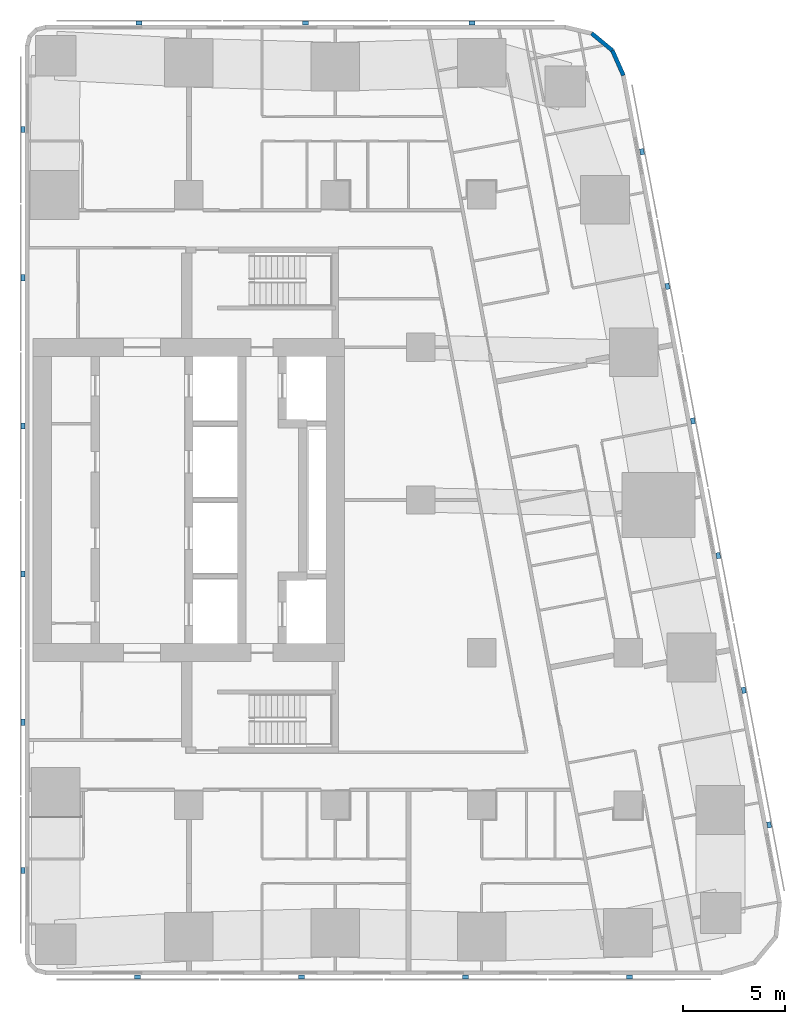
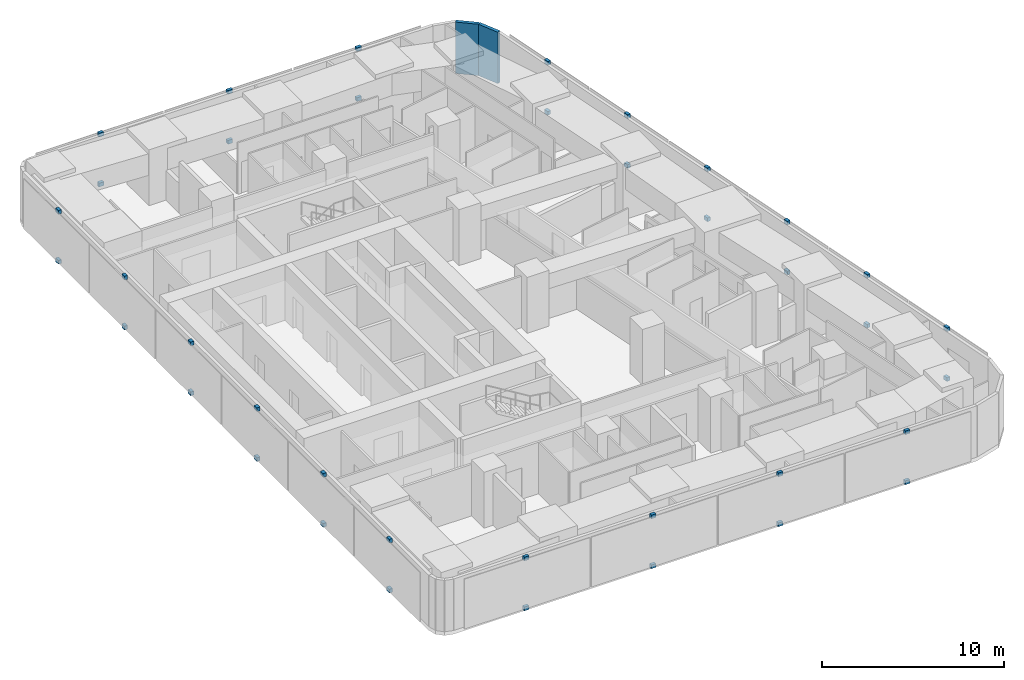
# One storey, part 8 of 10: 38 discrete accessories, 2 walls.
"""IFC4 building model written with IfcOpenShell, lengths in metres."""

import ifcopenshell
import ifcopenshell.guid

model = None  # the IFC model being written
_history = None  # IfcOwnerHistory: only IFC2X3 demands one
_inside = {}  # id of a spatial element -> (the spatial element, [elements in it])
_under = {}  # id of a project, library or spatial element -> (it, [spatial elements below it])
_declared = {}  # id of a project -> (the project, [libraries it declares])
_typed = {}  # id of a type object -> (the type object, [elements of that type])
_made_of = {}  # id of a material, layer set ... -> (it, [elements and type objects made of it])


def new_model(schema):
    """Start an empty IFC model of exactly this schema.

    Asked for "IFC4X3", IfcOpenShell would pick the latest addendum, in which some entities
    have other attributes; the version numbers below select the first issue.
    IFC2X3 requires an IfcOwnerHistory on every rooted entity: one is made here for all.
    """
    global model, _history
    if schema == "IFC4X3":
        model = ifcopenshell.file(schema_version=(4, 3, 0, 0))
    else:
        model = ifcopenshell.file(schema=schema)
    _inside.clear()
    _under.clear()
    _declared.clear()
    _typed.clear()
    _made_of.clear()
    _history = None
    if model.schema == "IFC2X3":
        org = make("IfcOrganization", Name="unknown")
        user = make(
            "IfcPersonAndOrganization",
            ThePerson=make("IfcPerson", FamilyName="unknown"),
            TheOrganization=org,
        )
        app = make(
            "IfcApplication",
            ApplicationDeveloper=org,
            Version="unknown",
            ApplicationFullName="unknown",
            ApplicationIdentifier="unknown",
        )
        _history = make(
            "IfcOwnerHistory",
            OwningUser=user,
            OwningApplication=app,
            ChangeAction="ADDED",
            CreationDate=0,
        )
    return model


def make(cls, **values):
    """One entity of the class cls with the attributes given. An attribute that is None is left unset."""
    return model.create_entity(
        cls, **{name: value for name, value in values.items() if value is not None}
    )


def rooted(cls, **values):
    """An entity with a GlobalId (a new one), such as an element, a storey or a relation."""
    return make(cls, GlobalId=ifcopenshell.guid.new(), OwnerHistory=_history, **values)


def si_unit(unit_type, name, prefix=None):
    """IfcSIUnit, for example si_unit("LENGTHUNIT", "METRE", prefix="MILLI")."""
    return make("IfcSIUnit", UnitType=unit_type, Prefix=prefix, Name=name)


def assignment(units):
    """IfcUnitAssignment: the units of a project."""
    return None if units is None else make("IfcUnitAssignment", Units=units)


def point(xyz):
    """IfcCartesianPoint."""
    return None if xyz is None else make("IfcCartesianPoint", Coordinates=xyz)


def direction(xyz):
    """IfcDirection."""
    return None if xyz is None else make("IfcDirection", DirectionRatios=xyz)


def frame(location, z_axis=None, x_axis=None):
    """IfcAxis2Placement3D, a coordinate frame: its origin and axes. An axis left out is left unset."""
    return make(
        "IfcAxis2Placement3D",
        Location=point(location),
        Axis=direction(z_axis),
        RefDirection=direction(x_axis),
    )


def frame_2d(location, x_axis=None):
    """IfcAxis2Placement2D, a coordinate frame in the plane: its origin and x axis."""
    return make(
        "IfcAxis2Placement2D", Location=point(location), RefDirection=direction(x_axis)
    )


def origin():
    """The frame at (0, 0, 0) with its axes left unset."""
    return frame((0.0, 0.0, 0.0))


def origin_2d():
    """The frame at (0, 0) in the plane with its x axis left unset."""
    return frame_2d((0.0, 0.0))


def place(relative_to, where):
    """IfcLocalPlacement: puts the frame where relative to a parent placement (None: the world)."""
    return make(
        "IfcLocalPlacement", PlacementRelTo=relative_to, RelativePlacement=where
    )


def context(
    kind, dimensions, precision=None, world=None, true_north=None, identifier=None
):
    """IfcGeometricRepresentationContext, for example the 3D "Model" context."""
    return make(
        "IfcGeometricRepresentationContext",
        ContextIdentifier=identifier,
        ContextType=kind,
        CoordinateSpaceDimension=dimensions,
        Precision=precision,
        WorldCoordinateSystem=world,
        TrueNorth=true_north,
    )


def subcontext(parent, identifier, kind, view, scale=None):
    """IfcGeometricRepresentationSubContext, for example "Body" below "Model"."""
    return make(
        "IfcGeometricRepresentationSubContext",
        ContextIdentifier=identifier,
        ContextType=kind,
        ParentContext=parent,
        TargetScale=scale,
        TargetView=view,
    )


def project(units=None, contexts=None):
    """IfcProject with its units and contexts."""
    return rooted(
        "IfcProject",
        Name="project",
        RepresentationContexts=contexts,
        UnitsInContext=assignment(units),
    )


def spatial(cls, under=None, at=None, **own):
    """A site, building, storey or space (cls), placed at a placement, below another one or the project."""
    s = rooted(cls, ObjectPlacement=at, **own)
    if under is not None:
        _under.setdefault(under.id(), (under, []))[1].append(s)
    return s


def profile(cls, at=None, kind="AREA", **sizes):
    """A parametric profile (cls). Its sizes go by their IFC names, for example OverallWidth=200.0."""
    return make(cls, ProfileType=kind, Position=at, **sizes)


def rectangle(**sizes):
    """IfcRectangleProfileDef."""
    return profile("IfcRectangleProfileDef", **sizes)


def extrude(swept, where, along, depth):
    """IfcExtrudedAreaSolid: the profile swept, set in the frame where, extruded along a direction by depth."""
    return make(
        "IfcExtrudedAreaSolid",
        SweptArea=swept,
        Position=where,
        ExtrudedDirection=direction(along),
        Depth=depth,
    )


def shape(context_of_items, identifier, shape_type, items):
    """IfcShapeRepresentation: the items that make up one representation, for example the "Body"."""
    return make(
        "IfcShapeRepresentation",
        ContextOfItems=context_of_items,
        RepresentationIdentifier=identifier,
        RepresentationType=shape_type,
        Items=items,
    )


def material(Name=None, Category=None):
    """IfcMaterial."""
    return make("IfcMaterial", Name=Name, Category=Category)


def layer(
    of_material, thickness, ventilated=None, Name=None, Category=None, Priority=None
):
    """IfcMaterialLayer: one layer of a wall or slab, of a material (None: an air gap)."""
    return make(
        "IfcMaterialLayer",
        Material=of_material,
        LayerThickness=thickness,
        IsVentilated=ventilated,
        Name=Name,
        Category=Category,
        Priority=Priority,
    )


def layer_set(layers, Name=None):
    """IfcMaterialLayerSet."""
    return make("IfcMaterialLayerSet", MaterialLayers=layers, LayerSetName=Name)


def made_of(thing, what):
    """Note that an element or type object is made of a material, layer set ...; save() writes the relation."""
    if what is not None:
        _made_of.setdefault(what.id(), (what, []))[1].append(thing)
    return thing


def type_object(cls, material=None, **own):
    """A type object (cls), such as IfcWallType, which elements share."""
    return made_of(rooted(cls, **own), material)


def element(
    cls,
    number,
    at=None,
    inside=None,
    cuts=None,
    type_object=None,
    material=None,
    context=None,
    identifier="Body",
    shape_type=None,
    held_by="IfcProductDefinitionShape",
    body=None,
    shapes=None,
    **own,
):
    """One element of the class cls, such as IfcWall. Its Tag is "e" and its number.

    at: its placement. inside: the storey or other place that contains it. cuts: it is an
    opening in that element (IfcRelVoidsElement). A single representation is given by context,
    identifier, shape_type and body (its items); several are given by shapes. held_by: the class
    of the entity that holds the representations. save() writes the other relations.
    """
    e = rooted(cls, Tag="e%d" % number, ObjectPlacement=at, **own)
    if body is not None:
        shapes = [shape(context, identifier, shape_type, body)]
    if shapes is not None:
        e.Representation = make(held_by, Representations=shapes)
    if inside is not None:
        _inside.setdefault(inside.id(), (inside, []))[1].append(e)
    if cuts is not None:
        rooted(
            "IfcRelVoidsElement", RelatingBuildingElement=cuts, RelatedOpeningElement=e
        )
    if type_object is not None:
        _typed.setdefault(type_object.id(), (type_object, []))[1].append(e)
    return made_of(e, material)


def aggregate(whole, parts):
    """IfcRelAggregates: a whole, such as a stair, and the parts it consists of."""
    return rooted("IfcRelAggregates", RelatingObject=whole, RelatedObjects=parts)


def save(model, path):
    """Write the relations noted so far, then the file.

    IfcRelAggregates (storeys below a building ...), IfcRelContainedInSpatialStructure (elements
    in a storey), IfcRelDefinesByType, IfcRelAssociatesMaterial and IfcRelDeclares: one each for
    every whole, place, type object, material and project.
    """
    for whole, parts in _under.values():
        aggregate(whole, parts)
    for where, things in _inside.values():
        rooted(
            "IfcRelContainedInSpatialStructure",
            RelatedElements=things,
            RelatingStructure=where,
        )
    for kind, things in _typed.values():
        rooted("IfcRelDefinesByType", RelatedObjects=things, RelatingType=kind)
    for what, things in _made_of.values():
        rooted("IfcRelAssociatesMaterial", RelatedObjects=things, RelatingMaterial=what)
    for by, libraries in _declared.values():
        rooted("IfcRelDeclares", RelatingContext=by, RelatedDefinitions=libraries)
    model.write(path)


model = new_model("IFC4")

# Units and contexts
model_context = context("Model", 3, precision=1e-05, world=origin(), true_north=direction((0.0, 1.0)))
body_context = subcontext(model_context, "Body", "Model", "MODEL_VIEW")
ifc_project = project(units=[si_unit("LENGTHUNIT", "METRE"), si_unit("AREAUNIT", "SQUARE_METRE"), si_unit("VOLUMEUNIT", "CUBIC_METRE"), si_unit("PLANEANGLEUNIT", "RADIAN"), si_unit("MASSUNIT", "GRAM", prefix="KILO")], contexts=[model_context])

# Site, building, storey
site_placement = place(None, origin())
site = spatial("IfcSite", under=ifc_project, at=site_placement, CompositionType="ELEMENT")
building_placement = place(site_placement, origin())
building = spatial("IfcBuilding", under=site, at=building_placement, Name="Sheger Commons Tower", CompositionType="ELEMENT")
storey_placement = place(building_placement, frame((0.0, 0.0, 242.449951171875)))
storey = spatial("IfcBuildingStorey", under=building, at=storey_placement, Name="L62", CompositionType="ELEMENT", Elevation=242.449951171875)

# Walls
ifc_material_1 = material(Name="Rendered concrete block masonry, dark grey", Category="masonry")
ifc_layer = layer(ifc_material_1, 0.199951171875)
ifc_layer_set = layer_set([ifc_layer], Name="FACADE WALL 200")
wall_type = type_object("IfcWallType", Name="FACADE WALL 200", PredefinedType="SOLIDWALL", material=ifc_layer_set)
wall_1_placement = place(storey_placement, frame((42.969970703125, 43.376953125, 0.0), z_axis=(0.0, 0.0, 1.0), x_axis=(-0.406002956633, 0.913871762998, 0.0)))
element("IfcWall", 1, at=wall_1_placement, inside=storey, type_object=wall_type, Name="Facade wall L62", PredefinedType="SOLIDWALL", context=body_context, shape_type="SweptSolid", body=[
    extrude(rectangle(XDim=1.33740234375, YDim=0.199951171875, at=frame_2d((0.668701171875, 0.0))), origin(), (0.0, 0.0, 1.0), 3.449951171875),
])
wall_2_placement = place(storey_placement, frame((42.427001953125, 44.59912109375, 0.0), z_axis=(0.0, 0.0, 1.0), x_axis=(-0.770091412544, 0.637933551655, 0.0)))
element("IfcWall", 2, at=wall_2_placement, inside=storey, type_object=wall_type, Name="Facade wall L62", PredefinedType="SOLIDWALL", context=body_context, shape_type="SweptSolid", body=[
    extrude(rectangle(XDim=1.324462890625, YDim=0.199951171875, at=frame_2d((0.662109375, 0.0))), origin(), (0.0, 0.0, 1.0), 3.449951171875),
])

# Discrete accessories
ifc_material_2 = material(Name="Black painted steel bracket", Category="steel")
discrete_accessory_type = type_object("IfcDiscreteAccessoryType", Name="SCREEN BRACKET 300x200x250", PredefinedType="BRACKET", material=ifc_material_2)
for number, where, z_axis, x_axis, name in (
    (3, (19.08203125, -0.949951171875, -0.099853515625), (0.0, 0.0, 1.0), (1.0, 0.0, 0.0), "Solar screen foot bracket"),
    (4, (19.08203125, -0.949951171875, 3.25), (0.0, 0.0, 1.0), (1.0, 0.0, 0.0), "Solar screen head bracket"),
    (5, (27.14599609375, -0.949951171875, -0.099853515625), (0.0, 0.0, 1.0), (1.0, 0.0, 0.0), "Solar screen foot bracket"),
    (6, (27.14599609375, -0.949951171875, 3.25), (0.0, 0.0, 1.0), (1.0, 0.0, 0.0), "Solar screen head bracket"),
    (7, (35.2099609375, -0.949951171875, -0.099853515625), (0.0, 0.0, 1.0), (1.0, 0.0, 0.0), "Solar screen foot bracket"),
    (8, (35.2099609375, -0.949951171875, 3.25), (0.0, 0.0, 1.0), (1.0, 0.0, 0.0), "Solar screen head bracket"),
    (9, (43.27392578125, -0.949951171875, -0.099853515625), (0.0, 0.0, 1.0), (1.0, 0.0, 0.0), "Solar screen foot bracket"),
    (10, (43.27392578125, -0.949951171875, 3.25), (0.0, 0.0, 1.0), (1.0, 0.0, 0.0), "Solar screen head bracket"),
    (11, (50.134033203125, 6.527099609375, -0.099853515625), (0.0, 0.0, 1.0), (-0.185615165645, 0.982622516678, 0.0), "Solar screen foot bracket"),
    (12, (50.134033203125, 6.527099609375, 3.25), (0.0, 0.0, 1.0), (-0.185615165645, 0.982622516678, 0.0), "Solar screen head bracket"),
    (13, (48.884033203125, 13.14599609375, -0.099853515625), (0.0, 0.0, 1.0), (-0.185615165645, 0.982622516678, 0.0), "Solar screen foot bracket"),
    (14, (48.884033203125, 13.14599609375, 3.25), (0.0, 0.0, 1.0), (-0.185615165645, 0.982622516678, 0.0), "Solar screen head bracket"),
    (15, (47.633056640625, 19.76611328125, -0.099853515625), (0.0, 0.0, 1.0), (-0.185615165645, 0.982622516678, 0.0), "Solar screen foot bracket"),
    (16, (47.633056640625, 19.76611328125, 3.25), (0.0, 0.0, 1.0), (-0.185615165645, 0.982622516678, 0.0), "Solar screen head bracket"),
    (17, (46.383056640625, 26.385009765625, -0.099853515625), (0.0, 0.0, 1.0), (-0.185615165645, 0.982622516678, 0.0), "Solar screen foot bracket"),
    (18, (46.383056640625, 26.385009765625, 3.25), (0.0, 0.0, 1.0), (-0.185615165645, 0.982622516678, 0.0), "Solar screen head bracket"),
    (19, (45.133056640625, 33.0048828125, -0.099853515625), (0.0, 0.0, 1.0), (-0.185615165645, 0.982622516678, 0.0), "Solar screen foot bracket"),
    (20, (45.133056640625, 33.0048828125, 3.25), (0.0, 0.0, 1.0), (-0.185615165645, 0.982622516678, 0.0), "Solar screen head bracket"),
    (21, (43.882080078125, 39.6240234375, -0.099853515625), (0.0, 0.0, 1.0), (-0.185615165645, 0.982622516678, 0.0), "Solar screen foot bracket"),
    (22, (43.882080078125, 39.6240234375, 3.25), (0.0, 0.0, 1.0), (-0.185615165645, 0.982622516678, 0.0), "Solar screen head bracket"),
    (23, (35.52294921875, 45.949951171875, -0.099853515625), (0.0, 0.0, 1.0), (-1.0, 0.0, 0.0), "Solar screen foot bracket"),
    (24, (35.52294921875, 45.949951171875, 3.25), (0.0, 0.0, 1.0), (-1.0, 0.0, 0.0), "Solar screen head bracket"),
    (25, (27.333984375, 45.949951171875, -0.099853515625), (0.0, 0.0, 1.0), (-1.0, 0.0, 0.0), "Solar screen foot bracket"),
    (26, (27.333984375, 45.949951171875, 3.25), (0.0, 0.0, 1.0), (-1.0, 0.0, 0.0), "Solar screen head bracket"),
    (27, (19.14501953125, 45.949951171875, -0.099853515625), (0.0, 0.0, 1.0), (-1.0, 0.0, 0.0), "Solar screen foot bracket"),
    (28, (19.14501953125, 45.949951171875, 3.25), (0.0, 0.0, 1.0), (-1.0, 0.0, 0.0), "Solar screen head bracket"),
    (29, (13.449951171875, 40.7080078125, -0.099853515625), (0.0, 0.0, 1.0), (0.0, -1.0, 0.0), "Solar screen foot bracket"),
    (30, (13.449951171875, 40.7080078125, 3.25), (0.0, 0.0, 1.0), (0.0, -1.0, 0.0), "Solar screen head bracket"),
    (31, (13.449951171875, 33.425048828125, -0.099853515625), (0.0, 0.0, 1.0), (0.0, -1.0, 0.0), "Solar screen foot bracket"),
    (32, (13.449951171875, 33.425048828125, 3.25), (0.0, 0.0, 1.0), (0.0, -1.0, 0.0), "Solar screen head bracket"),
    (33, (13.449951171875, 26.14208984375, -0.099853515625), (0.0, 0.0, 1.0), (0.0, -1.0, 0.0), "Solar screen foot bracket"),
    (34, (13.449951171875, 26.14208984375, 3.25), (0.0, 0.0, 1.0), (0.0, -1.0, 0.0), "Solar screen head bracket"),
    (35, (13.449951171875, 18.85791015625, -0.099853515625), (0.0, 0.0, 1.0), (0.0, -1.0, 0.0), "Solar screen foot bracket"),
    (36, (13.449951171875, 18.85791015625, 3.25), (0.0, 0.0, 1.0), (0.0, -1.0, 0.0), "Solar screen head bracket"),
    (37, (13.449951171875, 11.574951171875, -0.099853515625), (0.0, 0.0, 1.0), (0.0, -1.0, 0.0), "Solar screen foot bracket"),
    (38, (13.449951171875, 11.574951171875, 3.25), (0.0, 0.0, 1.0), (0.0, -1.0, 0.0), "Solar screen head bracket"),
    (39, (13.449951171875, 4.2919921875, -0.099853515625), (0.0, 0.0, 1.0), (0.0, -1.0, 0.0), "Solar screen foot bracket"),
    (40, (13.449951171875, 4.2919921875, 3.25), (0.0, 0.0, 1.0), (0.0, -1.0, 0.0), "Solar screen head bracket"),
):
    element("IfcDiscreteAccessory", number, at=place(storey_placement, frame(where, z_axis=z_axis, x_axis=x_axis)), inside=storey, type_object=discrete_accessory_type, Name=name, PredefinedType="BRACKET", context=body_context, shape_type="SweptSolid", body=[
        extrude(rectangle(XDim=0.300048828125, YDim=0.199951171875, at=origin_2d()), origin(), (0.0, 0.0, 1.0), 0.25),
    ])

save(model, "model.ifc")
